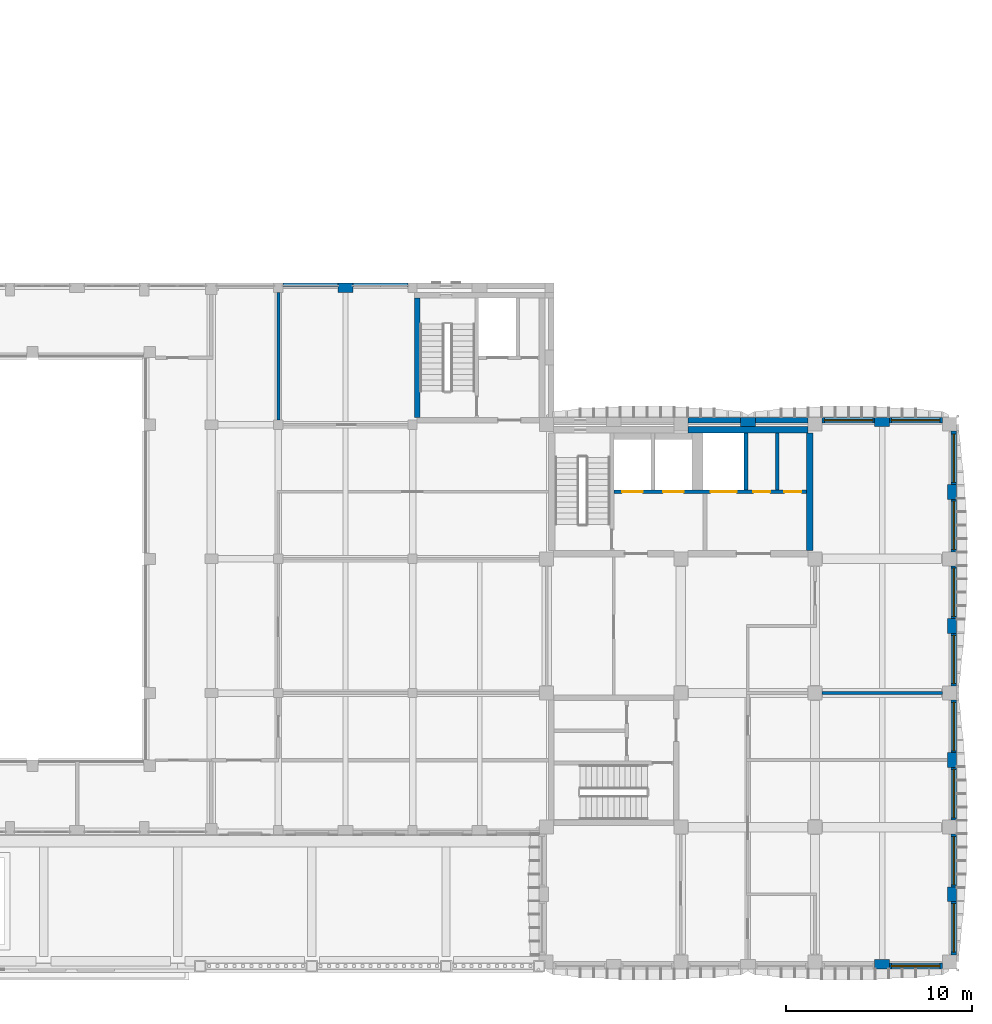
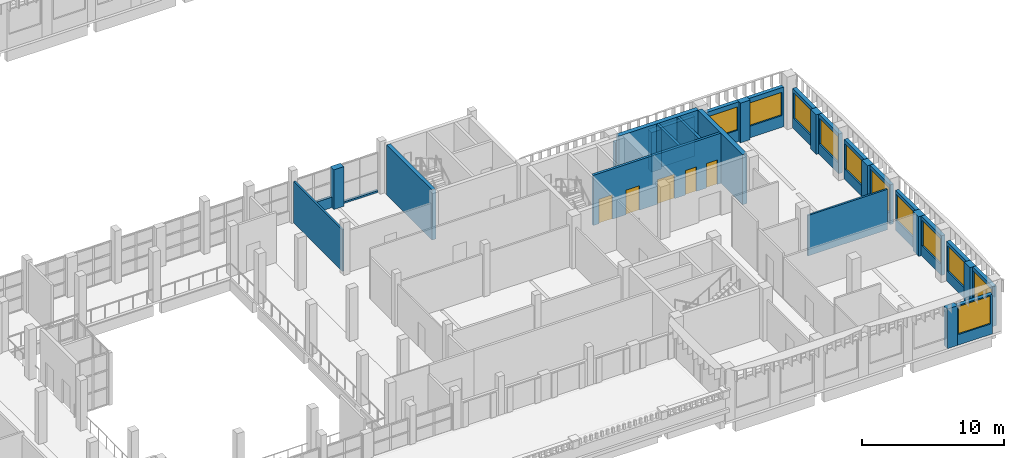
# One storey, part 24 of 58: 31 walls, 11 windows, 5 doors, 16 openings.
"""IFC4 building model written with IfcOpenShell, lengths in metres."""

from ifc_helpers import new_model, si_unit, direction, frame, frame_2d, origin, place, context, subcontext, project, spatial, rectangle, extrude, material, layer, layer_set, type_object, element, fill, save


model = new_model("IFC4")

# Units and contexts
model_context = context("Model", 3, precision=1e-05, world=origin(), true_north=direction((0.0, 1.0)))
body_context = subcontext(model_context, "Body", "Model", "MODEL_VIEW")
ifc_project = project(units=[si_unit("LENGTHUNIT", "METRE"), si_unit("AREAUNIT", "SQUARE_METRE"), si_unit("VOLUMEUNIT", "CUBIC_METRE"), si_unit("PLANEANGLEUNIT", "RADIAN"), si_unit("MASSUNIT", "GRAM", prefix="KILO")], contexts=[model_context])

# Site, building, storey
site_placement = place(None, origin())
site = spatial("IfcSite", under=ifc_project, at=site_placement, CompositionType="ELEMENT")
building_placement = place(site_placement, origin())
building = spatial("IfcBuilding", under=site, at=building_placement, Name="Ussher Court Research Institute", CompositionType="ELEMENT")
storey_placement = place(building_placement, frame((0.0, 0.0, 9.89990234375)))
storey = spatial("IfcBuildingStorey", under=building, at=storey_placement, Name="L02", CompositionType="ELEMENT", Elevation=9.89990234375)

# Wall, opening, window
ifc_material_1 = material(Name="Blockwork with cream render", Category="masonry")
ifc_layer_1 = layer(ifc_material_1, 0.300048828125)
ifc_layer_set_1 = layer_set([ifc_layer_1], Name="Blockwork with cream render")
wall_type_1 = type_object("IfcWallType", Name="External wall 300 cream render", PredefinedType="SOLIDWALL", material=ifc_layer_set_1)
wall_1_placement = place(storey_placement, frame((96.97509765625, 33.050048828125, 0.0), z_axis=(0.0, 0.0, 1.0), x_axis=(1.0, 0.0, 0.0)))
wall_1 = element("IfcWall", 1, at=wall_1_placement, inside=storey, type_object=wall_type_1, Name="External wall EW1 L02", PredefinedType="SOLIDWALL", context=body_context, shape_type="SweptSolid", body=[
    extrude(rectangle(XDim=2.824951171875, YDim=0.300048828125, at=frame_2d((1.41259765625, 0.0))), origin(), (0.0, 0.0, 1.0), 3.400146484375),
])
opening_1_placement = place(wall_1_placement, frame((0.125, 0.0, 1.0)))
opening_1 = element("IfcOpeningElement", 2, at=opening_1_placement, cuts=wall_1, Name="Opening W15", PredefinedType="OPENING", context=body_context, shape_type="SweptSolid", body=[
    extrude(rectangle(XDim=2.60009765625, YDim=2.0, at=frame_2d((1.300048828125, 1.0))), frame((0.0, 0.16015625, 0.0), z_axis=(0.0, -1.0, 0.0), x_axis=(1.0, 0.0, 0.0)), (0.0, 0.0, 1.0), 0.320068359375),
])
ifc_material_2 = material(Name="Bronze anodised aluminium with double glazing", Category="aluminium")
window_type_1 = type_object("IfcWindowType", Name="Service side laboratory window 2600x2000", PartitioningType="DOUBLE_PANEL_VERTICAL", PredefinedType="WINDOW", material=ifc_material_2)
window_1_placement = place(opening_1_placement, origin())
window_1 = element("IfcWindow", 3, at=window_1_placement, inside=storey, type_object=window_type_1, Name="Window W15 L02", OverallHeight=2.0, OverallWidth=2.60009765625, PartitioningType="SINGLE_PANEL", PredefinedType="WINDOW", context=body_context, shape_type="SweptSolid", body=[
    extrude(rectangle(XDim=2.60009765625, YDim=2.0, at=frame_2d((1.300048828125, 1.0))), frame((0.0, 0.030029296875, 0.0), z_axis=(0.0, -1.0, 0.0), x_axis=(1.0, 0.0, 0.0)), (0.0, 0.0, 1.0), 0.06005859375),
])
fill(opening_1, window_1)

wall_2_placement = place(storey_placement, frame((100.60009765625, 33.050048828125, 0.0), z_axis=(0.0, 0.0, 1.0), x_axis=(1.0, 0.0, 0.0)))
wall_2 = element("IfcWall", 4, at=wall_2_placement, inside=storey, type_object=wall_type_1, Name="External wall EW1 L02", PredefinedType="SOLIDWALL", context=body_context, shape_type="SweptSolid", body=[
    extrude(rectangle(XDim=2.849853515625, YDim=0.300048828125, at=frame_2d((1.4248046875, 0.0))), origin(), (0.0, 0.0, 1.0), 3.400146484375),
])
opening_2_placement = place(wall_2_placement, frame((0.10009765625, 0.0, 1.0)))
opening_2 = element("IfcOpeningElement", 5, at=opening_2_placement, cuts=wall_2, Name="Opening W15", PredefinedType="OPENING", context=body_context, shape_type="SweptSolid", body=[
    extrude(rectangle(XDim=2.60009765625, YDim=2.0, at=frame_2d((1.300048828125, 1.0))), frame((0.0, 0.16015625, 0.0), z_axis=(0.0, -1.0, 0.0), x_axis=(1.0, 0.0, 0.0)), (0.0, 0.0, 1.0), 0.320068359375),
])
window_2_placement = place(opening_2_placement, origin())
window_2 = element("IfcWindow", 6, at=window_2_placement, inside=storey, type_object=window_type_1, Name="Window W15 L02", OverallHeight=2.0, OverallWidth=2.60009765625, PartitioningType="SINGLE_PANEL", PredefinedType="WINDOW", context=body_context, shape_type="SweptSolid", body=[
    extrude(rectangle(XDim=2.60009765625, YDim=2.0, at=frame_2d((1.300048828125, 1.0))), frame((0.0, 0.030029296875, 0.0), z_axis=(0.0, -1.0, 0.0), x_axis=(1.0, 0.0, 0.0)), (0.0, 0.0, 1.0), 0.06005859375),
])
fill(opening_2, window_2)

wall_3_placement = place(storey_placement, frame((104.050048828125, 32.449951171875, 0.0), z_axis=(0.0, 0.0, 1.0), x_axis=(0.0, -1.0, 0.0)))
wall_3 = element("IfcWall", 7, at=wall_3_placement, inside=storey, type_object=wall_type_1, Name="External wall EW1 L02", PredefinedType="SOLIDWALL", context=body_context, shape_type="SweptSolid", body=[
    extrude(rectangle(XDim=2.849853515625, YDim=0.300048828125, at=frame_2d((1.4248046875, 0.0))), origin(), (0.0, 0.0, 1.0), 3.400146484375),
])
opening_3_placement = place(wall_3_placement, frame((0.14990234375, 0.0, 0.89990234375)))
opening_3 = element("IfcOpeningElement", 8, at=opening_3_placement, cuts=wall_3, Name="Opening W13", PredefinedType="OPENING", context=body_context, shape_type="SweptSolid", body=[
    extrude(rectangle(XDim=2.60009765625, YDim=2.199951171875, at=frame_2d((1.300048828125, 1.10009765625))), frame((0.0, 0.16015625, 0.0), z_axis=(0.0, -1.0, 0.0), x_axis=(1.0, 0.0, 0.0)), (0.0, 0.0, 1.0), 0.320068359375),
])
ifc_material_3 = material(Name="Bronze anodised aluminium with double glazing", Category="aluminium")
window_type_2 = type_object("IfcWindowType", Name="East laboratory window 2600x2200", PartitioningType="DOUBLE_PANEL_VERTICAL", PredefinedType="WINDOW", material=ifc_material_3)
window_3_placement = place(opening_3_placement, origin())
window_3 = element("IfcWindow", 9, at=window_3_placement, inside=storey, type_object=window_type_2, Name="Window W13 L02", OverallHeight=2.199951171875, OverallWidth=2.60009765625, PartitioningType="SINGLE_PANEL", PredefinedType="WINDOW", context=body_context, shape_type="SweptSolid", body=[
    extrude(rectangle(XDim=2.60009765625, YDim=2.199951171875, at=frame_2d((1.300048828125, 1.10009765625))), frame((0.0, 0.030029296875, 0.0), z_axis=(0.0, -1.0, 0.0), x_axis=(1.0, 0.0, 0.0)), (0.0, 0.0, 1.0), 0.06005859375),
])
fill(opening_3, window_3)

wall_4_placement = place(storey_placement, frame((104.050048828125, 28.800048828125, 0.0), z_axis=(0.0, 0.0, 1.0), x_axis=(0.0, -1.0, 0.0)))
wall_4 = element("IfcWall", 10, at=wall_4_placement, inside=storey, type_object=wall_type_1, Name="External wall EW1 L02", PredefinedType="SOLIDWALL", context=body_context, shape_type="SweptSolid", body=[
    extrude(rectangle(XDim=2.824951171875, YDim=0.300048828125, at=frame_2d((1.41259765625, 0.0))), origin(), (0.0, 0.0, 1.0), 3.400146484375),
])
opening_4_placement = place(wall_4_placement, frame((0.10009765625, 0.0, 0.89990234375)))
opening_4 = element("IfcOpeningElement", 11, at=opening_4_placement, cuts=wall_4, Name="Opening W13", PredefinedType="OPENING", context=body_context, shape_type="SweptSolid", body=[
    extrude(rectangle(XDim=2.60009765625, YDim=2.199951171875, at=frame_2d((1.300048828125, 1.10009765625))), frame((0.0, 0.16015625, 0.0), z_axis=(0.0, -1.0, 0.0), x_axis=(1.0, 0.0, 0.0)), (0.0, 0.0, 1.0), 0.320068359375),
])
window_4_placement = place(opening_4_placement, origin())
window_4 = element("IfcWindow", 12, at=window_4_placement, inside=storey, type_object=window_type_2, Name="Window W13 L02", OverallHeight=2.199951171875, OverallWidth=2.60009765625, PartitioningType="SINGLE_PANEL", PredefinedType="WINDOW", context=body_context, shape_type="SweptSolid", body=[
    extrude(rectangle(XDim=2.60009765625, YDim=2.199951171875, at=frame_2d((1.300048828125, 1.10009765625))), frame((0.0, 0.030029296875, 0.0), z_axis=(0.0, -1.0, 0.0), x_axis=(1.0, 0.0, 0.0)), (0.0, 0.0, 1.0), 0.06005859375),
])
fill(opening_4, window_4)

wall_5_placement = place(storey_placement, frame((104.050048828125, 25.22509765625, 0.0), z_axis=(0.0, 0.0, 1.0), x_axis=(0.0, -1.0, 0.0)))
wall_5 = element("IfcWall", 13, at=wall_5_placement, inside=storey, type_object=wall_type_1, Name="External wall EW1 L02", PredefinedType="SOLIDWALL", context=body_context, shape_type="SweptSolid", body=[
    extrude(rectangle(XDim=2.8251953125, YDim=0.300048828125, at=frame_2d((1.41259765625, 0.0))), origin(), (0.0, 0.0, 1.0), 3.400146484375),
])
opening_5_placement = place(wall_5_placement, frame((0.125, 0.0, 0.89990234375)))
opening_5 = element("IfcOpeningElement", 14, at=opening_5_placement, cuts=wall_5, Name="Opening W13", PredefinedType="OPENING", context=body_context, shape_type="SweptSolid", body=[
    extrude(rectangle(XDim=2.60009765625, YDim=2.199951171875, at=frame_2d((1.300048828125, 1.10009765625))), frame((0.0, 0.16015625, 0.0), z_axis=(0.0, -1.0, 0.0), x_axis=(1.0, 0.0, 0.0)), (0.0, 0.0, 1.0), 0.320068359375),
])
window_5_placement = place(opening_5_placement, origin())
window_5 = element("IfcWindow", 15, at=window_5_placement, inside=storey, type_object=window_type_2, Name="Window W13 L02", OverallHeight=2.199951171875, OverallWidth=2.60009765625, PartitioningType="SINGLE_PANEL", PredefinedType="WINDOW", context=body_context, shape_type="SweptSolid", body=[
    extrude(rectangle(XDim=2.60009765625, YDim=2.199951171875, at=frame_2d((1.300048828125, 1.10009765625))), frame((0.0, 0.030029296875, 0.0), z_axis=(0.0, -1.0, 0.0), x_axis=(1.0, 0.0, 0.0)), (0.0, 0.0, 1.0), 0.06005859375),
])
fill(opening_5, window_5)

wall_6_placement = place(storey_placement, frame((104.050048828125, 21.60009765625, 0.0), z_axis=(0.0, 0.0, 1.0), x_axis=(0.0, -1.0, 0.0)))
wall_6 = element("IfcWall", 16, at=wall_6_placement, inside=storey, type_object=wall_type_1, Name="External wall EW1 L02", PredefinedType="SOLIDWALL", context=body_context, shape_type="SweptSolid", body=[
    extrude(rectangle(XDim=2.8251953125, YDim=0.300048828125, at=frame_2d((1.41259765625, 0.0))), origin(), (0.0, 0.0, 1.0), 3.400146484375),
])
opening_6_placement = place(wall_6_placement, frame((0.10009765625, 0.0, 0.89990234375)))
opening_6 = element("IfcOpeningElement", 17, at=opening_6_placement, cuts=wall_6, Name="Opening W13", PredefinedType="OPENING", context=body_context, shape_type="SweptSolid", body=[
    extrude(rectangle(XDim=2.60009765625, YDim=2.199951171875, at=frame_2d((1.300048828125, 1.10009765625))), frame((0.0, 0.16015625, 0.0), z_axis=(0.0, -1.0, 0.0), x_axis=(1.0, 0.0, 0.0)), (0.0, 0.0, 1.0), 0.320068359375),
])
window_6_placement = place(opening_6_placement, origin())
window_6 = element("IfcWindow", 18, at=window_6_placement, inside=storey, type_object=window_type_2, Name="Window W13 L02", OverallHeight=2.199951171875, OverallWidth=2.60009765625, PartitioningType="SINGLE_PANEL", PredefinedType="WINDOW", context=body_context, shape_type="SweptSolid", body=[
    extrude(rectangle(XDim=2.60009765625, YDim=2.199951171875, at=frame_2d((1.300048828125, 1.10009765625))), frame((0.0, 0.030029296875, 0.0), z_axis=(0.0, -1.0, 0.0), x_axis=(1.0, 0.0, 0.0)), (0.0, 0.0, 1.0), 0.06005859375),
])
fill(opening_6, window_6)

wall_7_placement = place(storey_placement, frame((104.050048828125, 18.02490234375, 0.0), z_axis=(0.0, 0.0, 1.0), x_axis=(0.0, -1.0, 0.0)))
wall_7 = element("IfcWall", 19, at=wall_7_placement, inside=storey, type_object=wall_type_1, Name="External wall EW1 L02", PredefinedType="SOLIDWALL", context=body_context, shape_type="SweptSolid", body=[
    extrude(rectangle(XDim=2.824951171875, YDim=0.300048828125, at=frame_2d((1.41259765625, 0.0))), origin(), (0.0, 0.0, 1.0), 3.400146484375),
])
opening_7_placement = place(wall_7_placement, frame((0.125, 0.0, 0.89990234375)))
opening_7 = element("IfcOpeningElement", 20, at=opening_7_placement, cuts=wall_7, Name="Opening W13", PredefinedType="OPENING", context=body_context, shape_type="SweptSolid", body=[
    extrude(rectangle(XDim=2.60009765625, YDim=2.199951171875, at=frame_2d((1.300048828125, 1.10009765625))), frame((0.0, 0.16015625, 0.0), z_axis=(0.0, -1.0, 0.0), x_axis=(1.0, 0.0, 0.0)), (0.0, 0.0, 1.0), 0.320068359375),
])
window_7_placement = place(opening_7_placement, origin())
window_7 = element("IfcWindow", 21, at=window_7_placement, inside=storey, type_object=window_type_2, Name="Window W13 L02", OverallHeight=2.199951171875, OverallWidth=2.60009765625, PartitioningType="SINGLE_PANEL", PredefinedType="WINDOW", context=body_context, shape_type="SweptSolid", body=[
    extrude(rectangle(XDim=2.60009765625, YDim=2.199951171875, at=frame_2d((1.300048828125, 1.10009765625))), frame((0.0, 0.030029296875, 0.0), z_axis=(0.0, -1.0, 0.0), x_axis=(1.0, 0.0, 0.0)), (0.0, 0.0, 1.0), 0.06005859375),
])
fill(opening_7, window_7)

wall_8_placement = place(storey_placement, frame((104.050048828125, 14.39990234375, 0.0), z_axis=(0.0, 0.0, 1.0), x_axis=(0.0, -1.0, 0.0)))
wall_8 = element("IfcWall", 22, at=wall_8_placement, inside=storey, type_object=wall_type_1, Name="External wall EW1 L02", PredefinedType="SOLIDWALL", context=body_context, shape_type="SweptSolid", body=[
    extrude(rectangle(XDim=2.824951171875, YDim=0.300048828125, at=frame_2d((1.41259765625, 0.0))), origin(), (0.0, 0.0, 1.0), 3.400146484375),
])
opening_8_placement = place(wall_8_placement, frame((0.10009765625, 0.0, 0.89990234375)))
opening_8 = element("IfcOpeningElement", 23, at=opening_8_placement, cuts=wall_8, Name="Opening W13", PredefinedType="OPENING", context=body_context, shape_type="SweptSolid", body=[
    extrude(rectangle(XDim=2.60009765625, YDim=2.199951171875, at=frame_2d((1.300048828125, 1.10009765625))), frame((0.0, 0.16015625, 0.0), z_axis=(0.0, -1.0, 0.0), x_axis=(1.0, 0.0, 0.0)), (0.0, 0.0, 1.0), 0.320068359375),
])
window_8_placement = place(opening_8_placement, origin())
window_8 = element("IfcWindow", 24, at=window_8_placement, inside=storey, type_object=window_type_2, Name="Window W13 L02", OverallHeight=2.199951171875, OverallWidth=2.60009765625, PartitioningType="SINGLE_PANEL", PredefinedType="WINDOW", context=body_context, shape_type="SweptSolid", body=[
    extrude(rectangle(XDim=2.60009765625, YDim=2.199951171875, at=frame_2d((1.300048828125, 1.10009765625))), frame((0.0, 0.030029296875, 0.0), z_axis=(0.0, -1.0, 0.0), x_axis=(1.0, 0.0, 0.0)), (0.0, 0.0, 1.0), 0.06005859375),
])
fill(opening_8, window_8)

wall_9_placement = place(storey_placement, frame((104.050048828125, 10.824951171875, 0.0), z_axis=(0.0, 0.0, 1.0), x_axis=(0.0, -1.0, 0.0)))
wall_9 = element("IfcWall", 25, at=wall_9_placement, inside=storey, type_object=wall_type_1, Name="External wall EW1 L02", PredefinedType="SOLIDWALL", context=body_context, shape_type="SweptSolid", body=[
    extrude(rectangle(XDim=2.824951171875, YDim=0.300048828125, at=frame_2d((1.41259765625, 0.0))), origin(), (0.0, 0.0, 1.0), 3.400146484375),
])
opening_9_placement = place(wall_9_placement, frame((0.125, 0.0, 0.89990234375)))
opening_9 = element("IfcOpeningElement", 26, at=opening_9_placement, cuts=wall_9, Name="Opening W13", PredefinedType="OPENING", context=body_context, shape_type="SweptSolid", body=[
    extrude(rectangle(XDim=2.60009765625, YDim=2.199951171875, at=frame_2d((1.300048828125, 1.10009765625))), frame((0.0, 0.16015625, 0.0), z_axis=(0.0, -1.0, 0.0), x_axis=(1.0, 0.0, 0.0)), (0.0, 0.0, 1.0), 0.320068359375),
])
window_9_placement = place(opening_9_placement, origin())
window_9 = element("IfcWindow", 27, at=window_9_placement, inside=storey, type_object=window_type_2, Name="Window W13 L02", OverallHeight=2.199951171875, OverallWidth=2.60009765625, PartitioningType="SINGLE_PANEL", PredefinedType="WINDOW", context=body_context, shape_type="SweptSolid", body=[
    extrude(rectangle(XDim=2.60009765625, YDim=2.199951171875, at=frame_2d((1.300048828125, 1.10009765625))), frame((0.0, 0.030029296875, 0.0), z_axis=(0.0, -1.0, 0.0), x_axis=(1.0, 0.0, 0.0)), (0.0, 0.0, 1.0), 0.06005859375),
])
fill(opening_9, window_9)

wall_10_placement = place(storey_placement, frame((104.050048828125, 7.199951171875, 0.0), z_axis=(0.0, 0.0, 1.0), x_axis=(0.0, -1.0, 0.0)))
wall_10 = element("IfcWall", 28, at=wall_10_placement, inside=storey, type_object=wall_type_1, Name="External wall EW1 L02", PredefinedType="SOLIDWALL", context=body_context, shape_type="SweptSolid", body=[
    extrude(rectangle(XDim=2.849853515625, YDim=0.300048828125, at=frame_2d((1.4248046875, 0.0))), origin(), (0.0, 0.0, 1.0), 3.400146484375),
])
opening_10_placement = place(wall_10_placement, frame((0.10009765625, 0.0, 0.89990234375)))
opening_10 = element("IfcOpeningElement", 29, at=opening_10_placement, cuts=wall_10, Name="Opening W13", PredefinedType="OPENING", context=body_context, shape_type="SweptSolid", body=[
    extrude(rectangle(XDim=2.60009765625, YDim=2.199951171875, at=frame_2d((1.300048828125, 1.10009765625))), frame((0.0, 0.16015625, 0.0), z_axis=(0.0, -1.0, 0.0), x_axis=(1.0, 0.0, 0.0)), (0.0, 0.0, 1.0), 0.320068359375),
])
window_10_placement = place(opening_10_placement, origin())
window_10 = element("IfcWindow", 30, at=window_10_placement, inside=storey, type_object=window_type_2, Name="Window W13 L02", OverallHeight=2.199951171875, OverallWidth=2.60009765625, PartitioningType="SINGLE_PANEL", PredefinedType="WINDOW", context=body_context, shape_type="SweptSolid", body=[
    extrude(rectangle(XDim=2.60009765625, YDim=2.199951171875, at=frame_2d((1.300048828125, 1.10009765625))), frame((0.0, 0.030029296875, 0.0), z_axis=(0.0, -1.0, 0.0), x_axis=(1.0, 0.0, 0.0)), (0.0, 0.0, 1.0), 0.06005859375),
])
fill(opening_10, window_10)

wall_11_placement = place(storey_placement, frame((103.449951171875, 3.75, 0.0), z_axis=(0.0, 0.0, 1.0), x_axis=(-1.0, 0.0, 0.0)))
wall_11 = element("IfcWall", 31, at=wall_11_placement, inside=storey, type_object=wall_type_1, Name="External wall EW1 L02", PredefinedType="SOLIDWALL", context=body_context, shape_type="SweptSolid", body=[
    extrude(rectangle(XDim=2.849853515625, YDim=0.300048828125, at=frame_2d((1.4248046875, 0.0))), origin(), (0.0, 0.0, 1.0), 3.400146484375),
])
opening_11_placement = place(wall_11_placement, frame((0.14990234375, 0.0, 0.89990234375)))
opening_11 = element("IfcOpeningElement", 32, at=opening_11_placement, cuts=wall_11, Name="Opening W01", PredefinedType="OPENING", context=body_context, shape_type="SweptSolid", body=[
    extrude(rectangle(XDim=2.60009765625, YDim=2.39990234375, at=frame_2d((1.300048828125, 1.199951171875))), frame((0.0, 0.16015625, 0.0), z_axis=(0.0, -1.0, 0.0), x_axis=(1.0, 0.0, 0.0)), (0.0, 0.0, 1.0), 0.320068359375),
])
ifc_material_4 = material(Name="Bronze anodised aluminium with double glazing", Category="aluminium")
window_type_3 = type_object("IfcWindowType", Name="Laboratory bay window 2600x2400", PartitioningType="DOUBLE_PANEL_VERTICAL", PredefinedType="WINDOW", material=ifc_material_4)
window_11_placement = place(opening_11_placement, origin())
window_11 = element("IfcWindow", 33, at=window_11_placement, inside=storey, type_object=window_type_3, Name="Window W01 L02", OverallHeight=2.39990234375, OverallWidth=2.60009765625, PartitioningType="SINGLE_PANEL", PredefinedType="WINDOW", context=body_context, shape_type="SweptSolid", body=[
    extrude(rectangle(XDim=2.60009765625, YDim=2.39990234375, at=frame_2d((1.300048828125, 1.199951171875))), frame((0.0, 0.030029296875, 0.0), z_axis=(0.0, -1.0, 0.0), x_axis=(1.0, 0.0, 0.0)), (0.0, 0.0, 1.0), 0.06005859375),
])
fill(opening_11, window_11)

# Walls
ifc_material_5 = material(Name="Limestone facing on blockwork", Category="masonry")
ifc_layer_2 = layer(ifc_material_5, 0.300048828125)
ifc_layer_set_2 = layer_set([ifc_layer_2], Name="Limestone facing on blockwork")
wall_type_2 = type_object("IfcWallType", Name="External wall 300 stair enclosure", PredefinedType="SOLIDWALL", material=ifc_layer_set_2)
for number, where, z_axis, x_axis, name in (
    (34, (89.77490234375, 33.050048828125, 0.0), (0.0, 0.0, 1.0), (1.0, 0.0, 0.0), "External wall EW5 L02"),
    (35, (93.39990234375, 33.050048828125, 0.0), (0.0, 0.0, 1.0), (1.0, 0.0, 0.0), "External wall EW5 L02"),
):
    element("IfcWall", number, at=place(storey_placement, frame(where, z_axis=z_axis, x_axis=x_axis)), inside=storey, type_object=wall_type_2, Name=name, PredefinedType="SOLIDWALL", context=body_context, shape_type="SweptSolid", body=[
        extrude(rectangle(XDim=2.8251953125, YDim=0.300048828125, at=frame_2d((1.41259765625, 0.0))), origin(), (0.0, 0.0, 1.0), 3.400146484375),
    ])
ifc_material_6 = material(Name="Plastered blockwork", Category="masonry")
ifc_layer_3 = layer(ifc_material_6, 0.14990234375)
ifc_layer_set_3 = layer_set([ifc_layer_3], Name="Plastered blockwork")
wall_type_3 = type_object("IfcWallType", Name="Fire partition blockwork 150 EI 60", PredefinedType="PARTITIONING", material=ifc_layer_set_3)
wall_12_placement = place(storey_placement, frame((96.97509765625, 18.39990234375, 0.0), z_axis=(0.0, 0.0, 1.0), x_axis=(1.0, 0.0, 0.0)))
element("IfcWall", 36, at=wall_12_placement, inside=storey, type_object=wall_type_3, Name="Fire partition", PredefinedType="PARTITIONING", context=body_context, shape_type="SweptSolid", body=[
    extrude(rectangle(XDim=6.474853515625, YDim=0.14990234375, at=frame_2d((3.2373046875, 0.0))), origin(), (0.0, 0.0, 1.0), 3.47021484375),
])
wall_13_placement = place(storey_placement, frame((67.800048828125, 33.050048828125, 0.0), z_axis=(0.0, 0.0, 1.0), x_axis=(0.0, 1.0, 0.0)))
element("IfcWall", 37, at=wall_13_placement, inside=storey, type_object=wall_type_3, Name="Fire partition", PredefinedType="PARTITIONING", context=body_context, shape_type="SweptSolid", body=[
    extrude(rectangle(XDim=6.849853515625, YDim=0.14990234375, at=frame_2d((3.4248046875, 0.0))), origin(), (0.0, 0.0, 1.0), 3.570068359375),
])
ifc_material_7 = material(Name="Limestone facing on insulated blockwork", Category="masonry")
ifc_layer_4 = layer(ifc_material_7, 0.219970703125)
ifc_layer_set_4 = layer_set([ifc_layer_4], Name="Limestone facing on insulated blockwork")
wall_type_4 = type_object("IfcWallType", Name="Link wall 220 limestone faced insulated block", PredefinedType="SOLIDWALL", material=ifc_layer_set_4)
wall_14_placement = place(storey_placement, frame((68.050048828125, 40.2900390625, 0.0), z_axis=(0.0, 0.0, 1.0), x_axis=(1.0, 0.0, 0.0)))
element("IfcWall", 38, at=wall_14_placement, inside=storey, type_object=wall_type_4, Name="Plinth wall EW6 L02", PredefinedType="SOLIDWALL", context=body_context, shape_type="SweptSolid", body=[
    extrude(rectangle(XDim=2.949951171875, YDim=0.219970703125, at=frame_2d((1.47509765625, 0.0))), origin(), (0.0, 0.0, 1.0), 0.900146484375),
])
wall_15_placement = place(storey_placement, frame((71.800048828125, 40.2900390625, 0.0), z_axis=(0.0, 0.0, 1.0), x_axis=(1.0, 0.0, 0.0)))
element("IfcWall", 39, at=wall_15_placement, inside=storey, type_object=wall_type_4, Name="Plinth wall EW6 L02", PredefinedType="SOLIDWALL", context=body_context, shape_type="SweptSolid", body=[
    extrude(rectangle(XDim=2.949951171875, YDim=0.219970703125, at=frame_2d((1.47509765625, 0.0))), origin(), (0.0, 0.0, 1.0), 0.150146484375),
])
ifc_material_8 = material(Name="Blockwork with cream render", Category="masonry")
ifc_layer_5 = layer(ifc_material_8, 0.5)
ifc_layer_set_5 = layer_set([ifc_layer_5], Name="Blockwork with cream render")
wall_type_5 = type_object("IfcWallType", Name="Pier 800x500 cream render", PredefinedType="SOLIDWALL", material=ifc_layer_set_5)
wall_16_placement = place(storey_placement, frame((92.60009765625, 32.949951171875, 0.0), z_axis=(0.0, 0.0, 1.0), x_axis=(1.0, 0.0, 0.0)))
element("IfcWall", 40, at=wall_16_placement, inside=storey, type_object=wall_type_5, Name="Pier PR1 L02", PredefinedType="SOLIDWALL", context=body_context, shape_type="SweptSolid", body=[
    extrude(rectangle(XDim=0.7998046875, YDim=0.5, at=frame_2d((0.39990234375, 0.0))), origin(), (0.0, 0.0, 1.0), 3.400146484375),
])
for number, where, z_axis, x_axis, name in (
    (41, (99.800048828125, 32.949951171875, 0.0), (0.0, 0.0, 1.0), (1.0, 0.0, 0.0), "Pier PR1 L02"),
    (42, (103.949951171875, 29.60009765625, 0.0), (0.0, 0.0, 1.0), (0.0, -1.0, 0.0), "Pier PR1 L02"),
):
    element("IfcWall", number, at=place(storey_placement, frame(where, z_axis=z_axis, x_axis=x_axis)), inside=storey, type_object=wall_type_5, Name=name, PredefinedType="SOLIDWALL", context=body_context, shape_type="SweptSolid", body=[
        extrude(rectangle(XDim=0.800048828125, YDim=0.5, at=frame_2d((0.39990234375, 0.0))), origin(), (0.0, 0.0, 1.0), 3.400146484375),
    ])
wall_17_placement = place(storey_placement, frame((103.949951171875, 22.39990234375, 0.0), z_axis=(0.0, 0.0, 1.0), x_axis=(0.0, -1.0, 0.0)))
element("IfcWall", 43, at=wall_17_placement, inside=storey, type_object=wall_type_5, Name="Pier PR1 L02", PredefinedType="SOLIDWALL", context=body_context, shape_type="SweptSolid", body=[
    extrude(rectangle(XDim=0.7998046875, YDim=0.5, at=frame_2d((0.39990234375, 0.0))), origin(), (0.0, 0.0, 1.0), 3.400146484375),
])
for number, where, z_axis, x_axis, name in (
    (44, (103.949951171875, 15.199951171875, 0.0), (0.0, 0.0, 1.0), (0.0, -1.0, 0.0), "Pier PR1 L02"),
    (45, (103.949951171875, 8.0, 0.0), (0.0, 0.0, 1.0), (0.0, -1.0, 0.0), "Pier PR1 L02"),
    (46, (100.60009765625, 3.85009765625, 0.0), (0.0, 0.0, 1.0), (-1.0, 0.0, 0.0), "Pier PR1 L02"),
):
    element("IfcWall", number, at=place(storey_placement, frame(where, z_axis=z_axis, x_axis=x_axis)), inside=storey, type_object=wall_type_5, Name=name, PredefinedType="SOLIDWALL", context=body_context, shape_type="SweptSolid", body=[
        extrude(rectangle(XDim=0.800048828125, YDim=0.5, at=frame_2d((0.39990234375, 0.0))), origin(), (0.0, 0.0, 1.0), 3.400146484375),
    ])
ifc_material_9 = material(Name="Rusticated limestone facing on blockwork", Category="masonry")
ifc_layer_6 = layer(ifc_material_9, 0.5)
ifc_layer_set_6 = layer_set([ifc_layer_6], Name="Rusticated limestone facing on blockwork")
wall_type_6 = type_object("IfcWallType", Name="Pier 800x500 rusticated limestone", PredefinedType="SOLIDWALL", material=ifc_layer_set_6)
wall_18_placement = place(storey_placement, frame((71.0, 40.14990234375, 0.0), z_axis=(0.0, 0.0, 1.0), x_axis=(1.0, 0.0, 0.0)))
element("IfcWall", 47, at=wall_18_placement, inside=storey, type_object=wall_type_6, Name="Pier PR2 L02", PredefinedType="SOLIDWALL", context=body_context, shape_type="SweptSolid", body=[
    extrude(rectangle(XDim=0.800048828125, YDim=0.5, at=frame_2d((0.39990234375, 0.0))), origin(), (0.0, 0.0, 1.0), 3.400146484375),
])

# Wall, openings, doors
ifc_material_10 = material(Name="Concrete C35/45", Category="concrete")
ifc_layer_7 = layer(ifc_material_10, 0.199951171875)
ifc_layer_set_7 = layer_set([ifc_layer_7], Name="Concrete C35/45")
wall_type_7 = type_object("IfcWallType", Name="RC core wall 200", PredefinedType="SHEAR", material=ifc_layer_set_7)
wall_19_placement = place(storey_placement, frame((96.14990234375, 29.199951171875, 0.0), z_axis=(0.0, 0.0, 1.0), x_axis=(-1.0, 0.0, 0.0)))
wall_19 = element("IfcWall", 48, at=wall_19_placement, inside=storey, type_object=wall_type_7, Name="Core wall T1", PredefinedType="SHEAR", context=body_context, shape_type="SweptSolid", body=[
    extrude(rectangle(XDim=10.349853515625, YDim=0.199951171875, at=frame_2d((5.1748046875, 0.0))), origin(), (0.0, 0.0, 1.0), 4.300048828125),
])
opening_12_placement = place(wall_19_placement, frame((8.800048828125, 0.0, 0.0)))
opening_12 = element("IfcOpeningElement", 49, at=opening_12_placement, cuts=wall_19, Name="Opening LD36", PredefinedType="OPENING", context=body_context, shape_type="SweptSolid", body=[
    extrude(rectangle(XDim=1.10009765625, YDim=2.10009765625, at=frame_2d((0.550048828125, 1.050048828125))), frame((0.0, 0.10986328125, 0.0), z_axis=(0.0, -1.0, 0.0), x_axis=(1.0, 0.0, 0.0)), (0.0, 0.0, 1.0), 0.219970703125),
])
opening_13_placement = place(wall_19_placement, frame((6.60009765625, 0.0, 0.0)))
opening_13 = element("IfcOpeningElement", 50, at=opening_13_placement, cuts=wall_19, Name="Opening LD37", PredefinedType="OPENING", context=body_context, shape_type="SweptSolid", body=[
    extrude(rectangle(XDim=1.10009765625, YDim=2.10009765625, at=frame_2d((0.550048828125, 1.050048828125))), frame((0.0, 0.10986328125, 0.0), z_axis=(0.0, -1.0, 0.0), x_axis=(1.0, 0.0, 0.0)), (0.0, 0.0, 1.0), 0.219970703125),
])
opening_14_placement = place(wall_19_placement, frame((3.75, 0.0, 0.0)))
opening_14 = element("IfcOpeningElement", 51, at=opening_14_placement, cuts=wall_19, Name="Opening LD38", PredefinedType="OPENING", context=body_context, shape_type="SweptSolid", body=[
    extrude(rectangle(XDim=1.39990234375, YDim=2.10009765625, at=frame_2d((0.699951171875, 1.050048828125))), frame((0.0, 0.10986328125, 0.0), z_axis=(0.0, -1.0, 0.0), x_axis=(1.0, 0.0, 0.0)), (0.0, 0.0, 1.0), 0.219970703125),
])
opening_15_placement = place(wall_19_placement, frame((1.96240234375, 0.0, 0.0)))
opening_15 = element("IfcOpeningElement", 52, at=opening_15_placement, cuts=wall_19, Name="Opening D02064", PredefinedType="OPENING", context=body_context, shape_type="SweptSolid", body=[
    extrude(rectangle(XDim=0.89990234375, YDim=2.10009765625, at=frame_2d((0.449951171875, 1.050048828125))), frame((0.0, 0.10986328125, 0.0), z_axis=(0.0, -1.0, 0.0), x_axis=(1.0, 0.0, 0.0)), (0.0, 0.0, 1.0), 0.219970703125),
])
opening_16_placement = place(wall_19_placement, frame((0.28759765625, 0.0, 0.0)))
opening_16 = element("IfcOpeningElement", 53, at=opening_16_placement, cuts=wall_19, Name="Opening D02065", PredefinedType="OPENING", context=body_context, shape_type="SweptSolid", body=[
    extrude(rectangle(XDim=0.89990234375, YDim=2.10009765625, at=frame_2d((0.449951171875, 1.050048828125))), frame((0.0, 0.10986328125, 0.0), z_axis=(0.0, -1.0, 0.0), x_axis=(1.0, 0.0, 0.0)), (0.0, 0.0, 1.0), 0.219970703125),
])
ifc_material_11 = material(Name="Painted steel faced fire door", Category="steel")
door_type_1 = type_object("IfcDoorType", Name="Fire door 900x2100 FD60", OperationType="NOTDEFINED", PredefinedType="DOOR", material=ifc_material_11)
door_1_placement = place(opening_15_placement, origin())
door_1 = element("IfcDoor", 54, at=door_1_placement, inside=storey, type_object=door_type_1, Name="Door D02064", OperationType="SINGLE_SWING_LEFT", OverallHeight=2.10009765625, OverallWidth=0.89990234375, PredefinedType="DOOR", context=body_context, shape_type="SweptSolid", body=[
    extrude(rectangle(XDim=0.89990234375, YDim=2.10009765625, at=frame_2d((0.449951171875, 1.050048828125))), frame((0.0, 0.02490234375, 0.0), z_axis=(0.0, -1.0, 0.0), x_axis=(1.0, 0.0, 0.0)), (0.0, 0.0, 1.0), 0.050048828125),
])
fill(opening_15, door_1)
door_2_placement = place(opening_16_placement, origin())
door_2 = element("IfcDoor", 55, at=door_2_placement, inside=storey, type_object=door_type_1, Name="Door D02065", OperationType="SINGLE_SWING_LEFT", OverallHeight=2.10009765625, OverallWidth=0.89990234375, PredefinedType="DOOR", context=body_context, shape_type="SweptSolid", body=[
    extrude(rectangle(XDim=0.89990234375, YDim=2.10009765625, at=frame_2d((0.449951171875, 1.050048828125))), frame((0.0, 0.02490234375, 0.0), z_axis=(0.0, -1.0, 0.0), x_axis=(1.0, 0.0, 0.0)), (0.0, 0.0, 1.0), 0.050048828125),
])
fill(opening_16, door_2)
ifc_material_12 = material(Name="Stainless steel lift door", Category="steel")
door_type_2 = type_object("IfcDoorType", Name="Lift landing door 1100x2100 sliding", OperationType="DOUBLE_DOOR_SLIDING", PredefinedType="DOOR", material=ifc_material_12)
door_3_placement = place(opening_12_placement, origin())
door_3 = element("IfcDoor", 56, at=door_3_placement, inside=storey, type_object=door_type_2, Name="Landing door T1-1 L02", OperationType="DOUBLE_DOOR_SLIDING", OverallHeight=2.10009765625, OverallWidth=1.10009765625, PredefinedType="DOOR", context=body_context, shape_type="SweptSolid", body=[
    extrude(rectangle(XDim=1.10009765625, YDim=2.10009765625, at=frame_2d((0.550048828125, 1.050048828125))), frame((0.0, 0.02490234375, 0.0), z_axis=(0.0, -1.0, 0.0), x_axis=(1.0, 0.0, 0.0)), (0.0, 0.0, 1.0), 0.050048828125),
])
fill(opening_12, door_3)
door_4_placement = place(opening_13_placement, origin())
door_4 = element("IfcDoor", 57, at=door_4_placement, inside=storey, type_object=door_type_2, Name="Landing door T1-2 L02", OperationType="DOUBLE_DOOR_SLIDING", OverallHeight=2.10009765625, OverallWidth=1.10009765625, PredefinedType="DOOR", context=body_context, shape_type="SweptSolid", body=[
    extrude(rectangle(XDim=1.10009765625, YDim=2.10009765625, at=frame_2d((0.550048828125, 1.050048828125))), frame((0.0, 0.02490234375, 0.0), z_axis=(0.0, -1.0, 0.0), x_axis=(1.0, 0.0, 0.0)), (0.0, 0.0, 1.0), 0.050048828125),
])
fill(opening_13, door_4)
ifc_material_13 = material(Name="Stainless steel lift door", Category="steel")
door_type_3 = type_object("IfcDoorType", Name="Lift landing door 1400x2100 sliding", OperationType="DOUBLE_DOOR_SLIDING", PredefinedType="DOOR", material=ifc_material_13)
door_5_placement = place(opening_14_placement, origin())
door_5 = element("IfcDoor", 58, at=door_5_placement, inside=storey, type_object=door_type_3, Name="Landing door T1-3 L02", OperationType="DOUBLE_DOOR_SLIDING", OverallHeight=2.10009765625, OverallWidth=1.39990234375, PredefinedType="DOOR", context=body_context, shape_type="SweptSolid", body=[
    extrude(rectangle(XDim=1.39990234375, YDim=2.10009765625, at=frame_2d((0.699951171875, 1.050048828125))), frame((0.0, 0.02490234375, 0.0), z_axis=(0.0, -1.0, 0.0), x_axis=(1.0, 0.0, 0.0)), (0.0, 0.0, 1.0), 0.050048828125),
])
fill(opening_14, door_5)

# Walls
for number, where, z_axis, x_axis, name in (
    (59, (92.89990234375, 29.300048828125, 0.0), (0.0, 0.0, 1.0), (0.0, 1.0, 0.0), "Core wall T1"),
    (60, (94.574951171875, 29.300048828125, 0.0), (0.0, 0.0, 1.0), (0.0, 1.0, 0.0), "Core wall T1"),
):
    element("IfcWall", number, at=place(storey_placement, frame(where, z_axis=z_axis, x_axis=x_axis)), inside=storey, type_object=wall_type_7, Name=name, PredefinedType="SHEAR", context=body_context, shape_type="SweptSolid", body=[
        extrude(rectangle(XDim=3.050048828125, YDim=0.199951171875, at=frame_2d((1.52490234375, 0.0))), origin(), (0.0, 0.0, 1.0), 4.300048828125),
    ])
ifc_material_14 = material(Name="Concrete C35/45", Category="concrete")
ifc_layer_8 = layer(ifc_material_14, 0.300048828125)
ifc_layer_set_8 = layer_set([ifc_layer_8], Name="Concrete C35/45")
wall_type_8 = type_object("IfcWallType", Name="RC core wall 300", PredefinedType="SHEAR", material=ifc_layer_set_8)
wall_20_placement = place(storey_placement, frame((75.25, 33.199951171875, 0.0), z_axis=(0.0, 0.0, 1.0), x_axis=(0.0, 1.0, 0.0)))
element("IfcWall", 61, at=wall_20_placement, inside=storey, type_object=wall_type_8, Name="Core wall E1", PredefinedType="SHEAR", context=body_context, shape_type="SweptSolid", body=[
    extrude(rectangle(XDim=6.400146484375, YDim=0.300048828125, at=frame_2d((3.2001953125, 0.0))), origin(), (0.0, 0.0, 1.0), 4.300048828125),
])
ifc_material_15 = material(Name="Concrete C35/45", Category="concrete")
ifc_layer_9 = layer(ifc_material_15, 0.35009765625)
ifc_layer_set_9 = layer_set([ifc_layer_9], Name="Concrete C35/45")
wall_type_9 = type_object("IfcWallType", Name="RC core wall 350", PredefinedType="SHEAR", material=ifc_layer_set_9)
wall_21_placement = place(storey_placement, frame((89.77490234375, 32.52490234375, 0.0), z_axis=(0.0, 0.0, 1.0), x_axis=(1.0, 0.0, 0.0)))
element("IfcWall", 62, at=wall_21_placement, inside=storey, type_object=wall_type_9, Name="Core wall T1", PredefinedType="SHEAR", context=body_context, shape_type="SweptSolid", body=[
    extrude(rectangle(XDim=6.4501953125, YDim=0.35009765625, at=frame_2d((3.22509765625, 0.0))), origin(), (0.0, 0.0, 1.0), 4.300048828125),
])
wall_22_placement = place(storey_placement, frame((96.324951171875, 26.050048828125, 0.0), z_axis=(0.0, 0.0, 1.0), x_axis=(0.0, 1.0, 0.0)))
element("IfcWall", 63, at=wall_22_placement, inside=storey, type_object=wall_type_9, Name="Core wall T1", PredefinedType="SHEAR", context=body_context, shape_type="SweptSolid", body=[
    extrude(rectangle(XDim=6.300048828125, YDim=0.35009765625, at=frame_2d((3.14990234375, 0.0))), origin(), (0.0, 0.0, 1.0), 4.300048828125),
])

save(model, "model.ifc")
